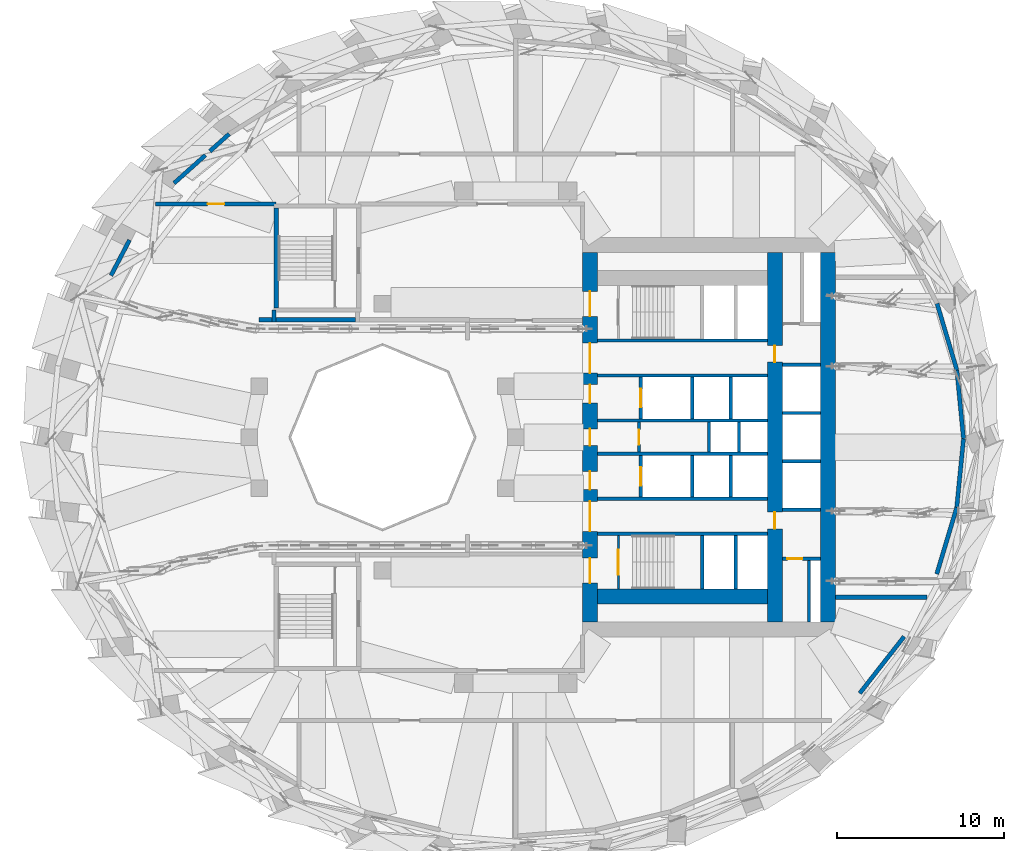
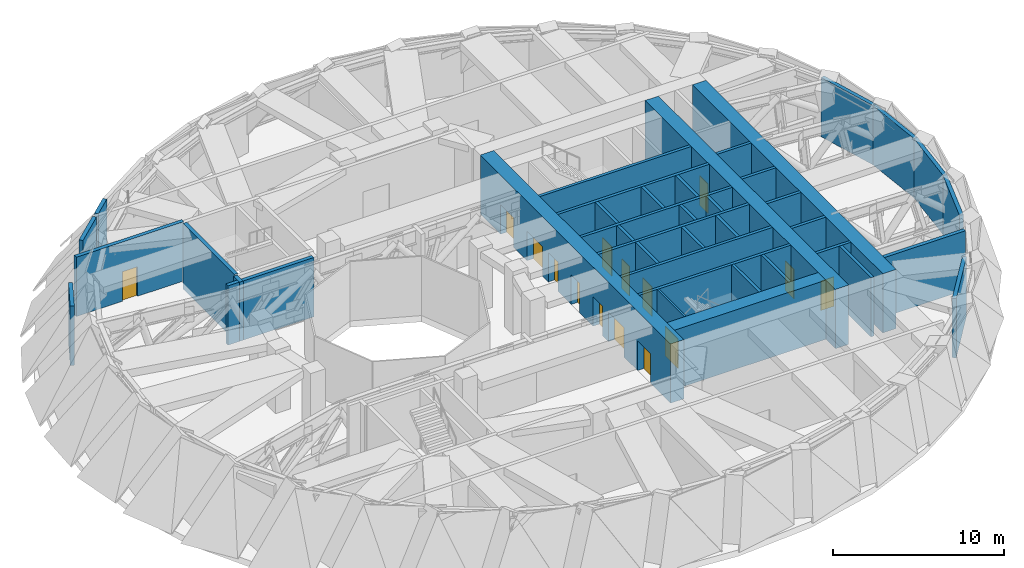
# One storey, part 8 of 15: 42 walls, 15 doors, 15 openings.
"""IFC4 building model written with IfcOpenShell, lengths in metres."""

from ifc_helpers import new_model, si_unit, direction, frame, frame_2d, origin, place, context, subcontext, project, spatial, rectangle, extrude, material, layer, layer_set, type_object, element, fill, save


model = new_model("IFC4")

# Units and contexts
model_context = context("Model", 3, precision=1e-05, world=origin(), true_north=direction((0.0, 1.0)))
body_context = subcontext(model_context, "Body", "Model", "MODEL_VIEW")
ifc_project = project(units=[si_unit("LENGTHUNIT", "METRE"), si_unit("AREAUNIT", "SQUARE_METRE"), si_unit("VOLUMEUNIT", "CUBIC_METRE"), si_unit("PLANEANGLEUNIT", "RADIAN"), si_unit("MASSUNIT", "GRAM", prefix="KILO")], contexts=[model_context])

# Site, building, storey
site_placement = place(None, origin())
site = spatial("IfcSite", under=ifc_project, at=site_placement, CompositionType="ELEMENT")
building_placement = place(site_placement, origin())
building = spatial("IfcBuilding", under=site, at=building_placement, Name="Taillehof Tower", CompositionType="ELEMENT")
storey_placement = place(building_placement, frame((0.0, 0.0, 84.39990234375)))
storey = spatial("IfcBuildingStorey", under=building, at=storey_placement, Name="L23", CompositionType="ELEMENT", Elevation=84.39990234375)

# Wall, opening, door
ifc_material_1 = material(Name="Calcium silicate masonry", Category="masonry")
ifc_layer_1 = layer(ifc_material_1, 0.199951171875)
ifc_layer_set_1 = layer_set([ifc_layer_1], Name="Compartment wall calcium silicate 200")
wall_type_1 = type_object("IfcWallType", Name="Compartment wall calcium silicate 200", PredefinedType="PARTITIONING", material=ifc_layer_set_1)
wall_1_placement = place(storey_placement, frame((7.39990234375, -0.89990234375, 0.0), z_axis=(0.0, 0.0, 1.0), x_axis=(0.0, 1.0, 0.0)))
wall_1 = element("IfcWall", 1, at=wall_1_placement, inside=storey, type_object=wall_type_1, Name="Compartment wall FW", PredefinedType="PARTITIONING", context=body_context, shape_type="SweptSolid", body=[
    extrude(rectangle(XDim=1.7998046875, YDim=0.199951171875, at=frame_2d((0.89990234375, 0.0))), origin(), (0.0, 0.0, 1.0), 4.22021484375),
])
opening_1_placement = place(wall_1_placement, frame((0.449951171875, 0.0, 0.0)))
opening_1 = element("IfcOpeningElement", 2, at=opening_1_placement, cuts=wall_1, Name="Opening D2312", PredefinedType="OPENING", context=body_context, shape_type="SweptSolid", body=[
    extrude(rectangle(XDim=0.89990234375, YDim=2.10009765625, at=frame_2d((0.449951171875, 1.050048828125))), frame((0.0, 0.10986328125, 0.0), z_axis=(0.0, -1.0, 0.0), x_axis=(1.0, 0.0, 0.0)), (0.0, 0.0, 1.0), 0.219970703125),
])
ifc_material_2 = material(Name="Steel-faced fire door", Category="steel")
door_type_1 = type_object("IfcDoorType", Name="Riser and service room door 900x2100", OperationType="SINGLE_SWING_LEFT", PredefinedType="DOOR", material=ifc_material_2)
door_1_placement = place(opening_1_placement, origin())
door_1 = element("IfcDoor", 3, at=door_1_placement, inside=storey, type_object=door_type_1, Name="Door Bms Room", OperationType="SINGLE_SWING_RIGHT", OverallHeight=2.10009765625, OverallWidth=0.89990234375, PredefinedType="DOOR", context=body_context, shape_type="SweptSolid", body=[
    extrude(rectangle(XDim=0.89990234375, YDim=2.10009765625, at=frame_2d((0.449951171875, 1.050048828125))), frame((0.0, 0.02490234375, 0.0), z_axis=(0.0, -1.0, 0.0), x_axis=(1.0, 0.0, 0.0)), (0.0, 0.0, 1.0), 0.050048828125),
])
fill(opening_1, door_1)

# Walls
for number, where, z_axis, x_axis, name in (
    (4, (11.60009765625, -0.89990234375, 0.0), (0.0, 0.0, 1.0), (0.0, 1.0, 0.0), "Compartment wall FW"),
    (5, (13.39990234375, -0.89990234375, 0.0), (0.0, 0.0, 1.0), (0.0, 1.0, 0.0), "Compartment wall FW"),
):
    element("IfcWall", number, at=place(storey_placement, frame(where, z_axis=z_axis, x_axis=x_axis)), inside=storey, type_object=wall_type_1, Name=name, PredefinedType="PARTITIONING", context=body_context, shape_type="SweptSolid", body=[
        extrude(rectangle(XDim=1.7998046875, YDim=0.199951171875, at=frame_2d((0.89990234375, 0.0))), origin(), (0.0, 0.0, 1.0), 4.22021484375),
    ])

# Wall, opening, door
wall_2_placement = place(storey_placement, frame((16.0, -7.300048828125, 0.0), z_axis=(0.0, 0.0, 1.0), x_axis=(1.0, 0.0, 0.0)))
wall_2 = element("IfcWall", 6, at=wall_2_placement, inside=storey, type_object=wall_type_1, Name="Compartment wall FW", PredefinedType="PARTITIONING", context=body_context, shape_type="SweptSolid", body=[
    extrude(rectangle(XDim=2.300048828125, YDim=0.199951171875, at=frame_2d((1.14990234375, 0.0))), origin(), (0.0, 0.0, 1.0), 4.22021484375),
])
opening_2_placement = place(wall_2_placement, frame((0.300048828125, 0.0, 0.0)))
opening_2 = element("IfcOpeningElement", 7, at=opening_2_placement, cuts=wall_2, Name="Opening D2316", PredefinedType="OPENING", context=body_context, shape_type="SweptSolid", body=[
    extrude(rectangle(XDim=0.89990234375, YDim=2.10009765625, at=frame_2d((0.449951171875, 1.050048828125))), frame((0.0, 0.10986328125, 0.0), z_axis=(0.0, -1.0, 0.0), x_axis=(1.0, 0.0, 0.0)), (0.0, 0.0, 1.0), 0.219970703125),
])
door_2_placement = place(opening_2_placement, origin())
door_2 = element("IfcDoor", 8, at=door_2_placement, inside=storey, type_object=door_type_1, Name="Door Battery Room", OperationType="SINGLE_SWING_LEFT", OverallHeight=2.10009765625, OverallWidth=0.89990234375, PredefinedType="DOOR", context=body_context, shape_type="SweptSolid", body=[
    extrude(rectangle(XDim=0.89990234375, YDim=2.10009765625, at=frame_2d((0.449951171875, 1.050048828125))), frame((0.0, 0.02490234375, 0.0), z_axis=(0.0, -1.0, 0.0), x_axis=(1.0, 0.0, 0.0)), (0.0, 0.0, 1.0), 0.050048828125),
])
fill(opening_2, door_2)

# Wall
wall_3_placement = place(storey_placement, frame((17.60009765625, -11.10009765625, 0.0), z_axis=(0.0, 0.0, 1.0), x_axis=(0.0, 1.0, 0.0)))
element("IfcWall", 9, at=wall_3_placement, inside=storey, type_object=wall_type_1, Name="Compartment wall FW", PredefinedType="PARTITIONING", context=body_context, shape_type="SweptSolid", body=[
    extrude(rectangle(XDim=3.7001953125, YDim=0.199951171875, at=frame_2d((1.85009765625, 0.0))), origin(), (0.0, 0.0, 1.0), 4.22021484375),
])

# Wall, openings, doors
ifc_material_3 = material(Name="Concrete C80/95", Category="concrete")
ifc_layer_2 = layer(ifc_material_3, 0.89990234375)
ifc_layer_set_2 = layer_set([ifc_layer_2], Name="Core wall C80/95 900")
wall_type_2 = type_object("IfcWallType", Name="Core wall C80/95 900", PredefinedType="SHEAR", material=ifc_layer_set_2)
wall_4_placement = place(storey_placement, frame((4.449951171875, -11.10009765625, 0.0), z_axis=(0.0, 0.0, 1.0), x_axis=(0.0, 1.0, 0.0)))
wall_4 = element("IfcWall", 10, at=wall_4_placement, inside=storey, type_object=wall_type_2, Name="Core wall CW01", PredefinedType="SHEAR", context=body_context, shape_type="SweptSolid", body=[
    extrude(rectangle(XDim=22.2001953125, YDim=0.89990234375, at=frame_2d((11.10009765625, 0.0))), origin(), (0.0, 0.0, 1.0), 4.22021484375),
])
opening_3_placement = place(wall_4_placement, frame((2.35009765625, 0.0, 0.0)))
opening_3 = element("IfcOpeningElement", 11, at=opening_3_placement, cuts=wall_4, Name="Opening D2301", PredefinedType="OPENING", context=body_context, shape_type="SweptSolid", body=[
    extrude(rectangle(XDim=1.5, YDim=2.10009765625, at=frame_2d((0.75, 1.050048828125))), frame((0.0, 0.4599609375, 0.0), z_axis=(0.0, -1.0, 0.0), x_axis=(1.0, 0.0, 0.0)), (0.0, 0.0, 1.0), 0.919921875),
])
opening_4_placement = place(wall_4_placement, frame((5.449951171875, 0.0, 0.0)))
opening_4 = element("IfcOpeningElement", 12, at=opening_4_placement, cuts=wall_4, Name="Opening D2302", PredefinedType="OPENING", context=body_context, shape_type="SweptSolid", body=[
    extrude(rectangle(XDim=1.800048828125, YDim=2.10009765625, at=frame_2d((0.89990234375, 1.050048828125))), frame((0.0, 0.4599609375, 0.0), z_axis=(0.0, -1.0, 0.0), x_axis=(1.0, 0.0, 0.0)), (0.0, 0.0, 1.0), 0.919921875),
])
opening_5_placement = place(wall_4_placement, frame((7.949951171875, 0.0, 0.0)))
opening_5 = element("IfcOpeningElement", 13, at=opening_5_placement, cuts=wall_4, Name="Opening D2303", PredefinedType="OPENING", context=body_context, shape_type="SweptSolid", body=[
    extrude(rectangle(XDim=1.10009765625, YDim=2.10009765625, at=frame_2d((0.550048828125, 1.050048828125))), frame((0.0, 0.4599609375, 0.0), z_axis=(0.0, -1.0, 0.0), x_axis=(1.0, 0.0, 0.0)), (0.0, 0.0, 1.0), 0.919921875),
])
opening_6_placement = place(wall_4_placement, frame((10.60009765625, 0.0, 0.0)))
opening_6 = element("IfcOpeningElement", 14, at=opening_6_placement, cuts=wall_4, Name="Opening D2304", PredefinedType="OPENING", context=body_context, shape_type="SweptSolid", body=[
    extrude(rectangle(XDim=1.0, YDim=2.10009765625, at=frame_2d((0.5, 1.050048828125))), frame((0.0, 0.4599609375, 0.0), z_axis=(0.0, -1.0, 0.0), x_axis=(1.0, 0.0, 0.0)), (0.0, 0.0, 1.0), 0.919921875),
])
opening_7_placement = place(wall_4_placement, frame((13.14990234375, 0.0, 0.0)))
opening_7 = element("IfcOpeningElement", 15, at=opening_7_placement, cuts=wall_4, Name="Opening D2305", PredefinedType="OPENING", context=body_context, shape_type="SweptSolid", body=[
    extrude(rectangle(XDim=1.10009765625, YDim=2.10009765625, at=frame_2d((0.550048828125, 1.050048828125))), frame((0.0, 0.4599609375, 0.0), z_axis=(0.0, -1.0, 0.0), x_axis=(1.0, 0.0, 0.0)), (0.0, 0.0, 1.0), 0.919921875),
])
opening_8_placement = place(wall_4_placement, frame((14.949951171875, 0.0, 0.0)))
opening_8 = element("IfcOpeningElement", 16, at=opening_8_placement, cuts=wall_4, Name="Opening D2306", PredefinedType="OPENING", context=body_context, shape_type="SweptSolid", body=[
    extrude(rectangle(XDim=1.800048828125, YDim=2.10009765625, at=frame_2d((0.89990234375, 1.050048828125))), frame((0.0, 0.4599609375, 0.0), z_axis=(0.0, -1.0, 0.0), x_axis=(1.0, 0.0, 0.0)), (0.0, 0.0, 1.0), 0.919921875),
])
opening_9_placement = place(wall_4_placement, frame((18.35009765625, 0.0, 0.0)))
opening_9 = element("IfcOpeningElement", 17, at=opening_9_placement, cuts=wall_4, Name="Opening D2307", PredefinedType="OPENING", context=body_context, shape_type="SweptSolid", body=[
    extrude(rectangle(XDim=1.5, YDim=2.10009765625, at=frame_2d((0.75, 1.050048828125))), frame((0.0, 0.4599609375, 0.0), z_axis=(0.0, -1.0, 0.0), x_axis=(1.0, 0.0, 0.0)), (0.0, 0.0, 1.0), 0.919921875),
])
ifc_material_4 = material(Name="Steel-faced fire door", Category="steel")
door_type_2 = type_object("IfcDoorType", Name="Firefighting lobby door 1100x2100", OperationType="SINGLE_SWING_RIGHT", PredefinedType="DOOR", material=ifc_material_4)
door_3_placement = place(opening_5_placement, origin())
door_3 = element("IfcDoor", 18, at=door_3_placement, inside=storey, type_object=door_type_2, Name="Firefighting lobby door FFL-S", OperationType="SINGLE_SWING_RIGHT", OverallHeight=2.10009765625, OverallWidth=1.10009765625, PredefinedType="DOOR", context=body_context, shape_type="SweptSolid", body=[
    extrude(rectangle(XDim=1.10009765625, YDim=2.10009765625, at=frame_2d((0.550048828125, 1.050048828125))), frame((0.0, 0.02490234375, 0.0), z_axis=(0.0, -1.0, 0.0), x_axis=(1.0, 0.0, 0.0)), (0.0, 0.0, 1.0), 0.050048828125),
])
fill(opening_5, door_3)
door_4_placement = place(opening_7_placement, origin())
door_4 = element("IfcDoor", 19, at=door_4_placement, inside=storey, type_object=door_type_2, Name="Firefighting lobby door FFL-N", OperationType="SINGLE_SWING_LEFT", OverallHeight=2.10009765625, OverallWidth=1.10009765625, PredefinedType="DOOR", context=body_context, shape_type="SweptSolid", body=[
    extrude(rectangle(XDim=1.10009765625, YDim=2.10009765625, at=frame_2d((0.550048828125, 1.050048828125))), frame((0.0, 0.02490234375, 0.0), z_axis=(0.0, -1.0, 0.0), x_axis=(1.0, 0.0, 0.0)), (0.0, 0.0, 1.0), 0.050048828125),
])
fill(opening_7, door_4)
ifc_material_5 = material(Name="Steel-faced fire door", Category="steel")
door_type_3 = type_object("IfcDoorType", Name="Lift lobby door 1800x2100", OperationType="DOUBLE_DOOR_SINGLE_SWING", PredefinedType="DOOR", material=ifc_material_5)
door_5_placement = place(opening_4_placement, origin())
door_5 = element("IfcDoor", 20, at=door_5_placement, inside=storey, type_object=door_type_3, Name="Lift lobby door LL-S", OperationType="DOUBLE_DOOR_SINGLE_SWING", OverallHeight=2.10009765625, OverallWidth=1.800048828125, PredefinedType="DOOR", context=body_context, shape_type="SweptSolid", body=[
    extrude(rectangle(XDim=1.800048828125, YDim=2.10009765625, at=frame_2d((0.89990234375, 1.050048828125))), frame((0.0, 0.02490234375, 0.0), z_axis=(0.0, -1.0, 0.0), x_axis=(1.0, 0.0, 0.0)), (0.0, 0.0, 1.0), 0.050048828125),
])
fill(opening_4, door_5)
door_6_placement = place(opening_8_placement, origin())
door_6 = element("IfcDoor", 21, at=door_6_placement, inside=storey, type_object=door_type_3, Name="Lift lobby door LL-N", OperationType="DOUBLE_DOOR_SINGLE_SWING", OverallHeight=2.10009765625, OverallWidth=1.800048828125, PredefinedType="DOOR", context=body_context, shape_type="SweptSolid", body=[
    extrude(rectangle(XDim=1.800048828125, YDim=2.10009765625, at=frame_2d((0.89990234375, 1.050048828125))), frame((0.0, 0.02490234375, 0.0), z_axis=(0.0, -1.0, 0.0), x_axis=(1.0, 0.0, 0.0)), (0.0, 0.0, 1.0), 0.050048828125),
])
fill(opening_8, door_6)
ifc_material_6 = material(Name="Steel-faced fire door", Category="steel")
door_type_4 = type_object("IfcDoorType", Name="Service door 1000x2100", OperationType="SINGLE_SWING_RIGHT", PredefinedType="DOOR", material=ifc_material_6)
door_7_placement = place(opening_6_placement, origin())
door_7 = element("IfcDoor", 22, at=door_7_placement, inside=storey, type_object=door_type_4, Name="Service door SV", OperationType="SINGLE_SWING_RIGHT", OverallHeight=2.10009765625, OverallWidth=1.0, PredefinedType="DOOR", context=body_context, shape_type="SweptSolid", body=[
    extrude(rectangle(XDim=1.0, YDim=2.10009765625, at=frame_2d((0.5, 1.050048828125))), frame((0.0, 0.02490234375, 0.0), z_axis=(0.0, -1.0, 0.0), x_axis=(1.0, 0.0, 0.0)), (0.0, 0.0, 1.0), 0.050048828125),
])
fill(opening_6, door_7)
ifc_material_7 = material(Name="Steel-faced fire door", Category="steel")
door_type_5 = type_object("IfcDoorType", Name="Stair door 1500x2100", OperationType="DOUBLE_DOOR_SINGLE_SWING", PredefinedType="DOOR", material=ifc_material_7)
door_8_placement = place(opening_3_placement, origin())
door_8 = element("IfcDoor", 23, at=door_8_placement, inside=storey, type_object=door_type_5, Name="Stair door S2", OperationType="DOUBLE_DOOR_SINGLE_SWING", OverallHeight=2.10009765625, OverallWidth=1.5, PredefinedType="DOOR", context=body_context, shape_type="SweptSolid", body=[
    extrude(rectangle(XDim=1.5, YDim=2.10009765625, at=frame_2d((0.75, 1.050048828125))), frame((0.0, 0.02490234375, 0.0), z_axis=(0.0, -1.0, 0.0), x_axis=(1.0, 0.0, 0.0)), (0.0, 0.0, 1.0), 0.050048828125),
])
fill(opening_3, door_8)
door_9_placement = place(opening_9_placement, origin())
door_9 = element("IfcDoor", 24, at=door_9_placement, inside=storey, type_object=door_type_5, Name="Stair door S1", OperationType="DOUBLE_DOOR_SINGLE_SWING", OverallHeight=2.10009765625, OverallWidth=1.5, PredefinedType="DOOR", context=body_context, shape_type="SweptSolid", body=[
    extrude(rectangle(XDim=1.5, YDim=2.10009765625, at=frame_2d((0.75, 1.050048828125))), frame((0.0, 0.02490234375, 0.0), z_axis=(0.0, -1.0, 0.0), x_axis=(1.0, 0.0, 0.0)), (0.0, 0.0, 1.0), 0.050048828125),
])
fill(opening_9, door_9)

# Wall
wall_5_placement = place(storey_placement, frame((18.75, -11.10009765625, 0.0), z_axis=(0.0, 0.0, 1.0), x_axis=(0.0, 1.0, 0.0)))
element("IfcWall", 25, at=wall_5_placement, inside=storey, type_object=wall_type_2, Name="Core wall CW02", PredefinedType="SHEAR", context=body_context, shape_type="SweptSolid", body=[
    extrude(rectangle(XDim=22.2001953125, YDim=0.89990234375, at=frame_2d((11.10009765625, 0.0))), origin(), (0.0, 0.0, 1.0), 4.22021484375),
])

# Wall, openings, doors
wall_6_placement = place(storey_placement, frame((15.550048828125, -11.10009765625, 0.0), z_axis=(0.0, 0.0, 1.0), x_axis=(0.0, 1.0, 0.0)))
wall_6 = element("IfcWall", 26, at=wall_6_placement, inside=storey, type_object=wall_type_2, Name="Core wall CW05", PredefinedType="SHEAR", context=body_context, shape_type="SweptSolid", body=[
    extrude(rectangle(XDim=22.2001953125, YDim=0.89990234375, at=frame_2d((11.10009765625, 0.0))), origin(), (0.0, 0.0, 1.0), 4.22021484375),
])
opening_10_placement = place(wall_6_placement, frame((15.60009765625, 0.0, 0.0)))
opening_10 = element("IfcOpeningElement", 27, at=opening_10_placement, cuts=wall_6, Name="Opening D2313", PredefinedType="OPENING", context=body_context, shape_type="SweptSolid", body=[
    extrude(rectangle(XDim=1.0, YDim=2.10009765625, at=frame_2d((0.5, 1.050048828125))), frame((0.0, 0.4599609375, 0.0), z_axis=(0.0, -1.0, 0.0), x_axis=(1.0, 0.0, 0.0)), (0.0, 0.0, 1.0), 0.919921875),
])
opening_11_placement = place(wall_6_placement, frame((5.60009765625, 0.0, 0.0)))
opening_11 = element("IfcOpeningElement", 28, at=opening_11_placement, cuts=wall_6, Name="Opening D2315", PredefinedType="OPENING", context=body_context, shape_type="SweptSolid", body=[
    extrude(rectangle(XDim=1.0, YDim=2.10009765625, at=frame_2d((0.5, 1.050048828125))), frame((0.0, 0.4599609375, 0.0), z_axis=(0.0, -1.0, 0.0), x_axis=(1.0, 0.0, 0.0)), (0.0, 0.0, 1.0), 0.919921875),
])
door_10_placement = place(opening_10_placement, origin())
door_10 = element("IfcDoor", 29, at=door_10_placement, inside=storey, type_object=door_type_4, Name="Service door strip", OperationType="SINGLE_SWING_RIGHT", OverallHeight=2.10009765625, OverallWidth=1.0, PredefinedType="DOOR", context=body_context, shape_type="SweptSolid", body=[
    extrude(rectangle(XDim=1.0, YDim=2.10009765625, at=frame_2d((0.5, 1.050048828125))), frame((0.0, 0.02490234375, 0.0), z_axis=(0.0, -1.0, 0.0), x_axis=(1.0, 0.0, 0.0)), (0.0, 0.0, 1.0), 0.050048828125),
])
fill(opening_10, door_10)
door_11_placement = place(opening_11_placement, origin())
door_11 = element("IfcDoor", 30, at=door_11_placement, inside=storey, type_object=door_type_4, Name="Service door strip", OperationType="SINGLE_SWING_LEFT", OverallHeight=2.10009765625, OverallWidth=1.0, PredefinedType="DOOR", context=body_context, shape_type="SweptSolid", body=[
    extrude(rectangle(XDim=1.0, YDim=2.10009765625, at=frame_2d((0.5, 1.050048828125))), frame((0.0, 0.02490234375, 0.0), z_axis=(0.0, -1.0, 0.0), x_axis=(1.0, 0.0, 0.0)), (0.0, 0.0, 1.0), 0.050048828125),
])
fill(opening_11, door_11)

# Walls
wall_7_placement = place(storey_placement, frame((4.89990234375, -9.550048828125, 0.0), z_axis=(0.0, 0.0, 1.0), x_axis=(1.0, 0.0, 0.0)))
element("IfcWall", 31, at=wall_7_placement, inside=storey, type_object=wall_type_2, Name="Core wall CW07", PredefinedType="SHEAR", context=body_context, shape_type="SweptSolid", body=[
    extrude(rectangle(XDim=10.2001953125, YDim=0.89990234375, at=frame_2d((5.10009765625, 0.0))), origin(), (0.0, 0.0, 1.0), 4.22021484375),
])
ifc_material_8 = material(Name="Calcium silicate blockwork", Category="masonry")
ifc_layer_3 = layer(ifc_material_8, 0.25)
ifc_layer_set_3 = layer_set([ifc_layer_3], Name="Fire-resisting wall EI 120 250 mm")
wall_type_3 = type_object("IfcWallType", Name="Fire-resisting wall EI 120 250 mm", PredefinedType="PARTITIONING", material=ifc_layer_set_3)
wall_8_placement = place(storey_placement, frame((-18.629150390625, 16.922607421875, 0.0), z_axis=(0.0, 0.0, 1.0), x_axis=(-0.745977283695, -0.665971389934, 0.0)))
element("IfcWall", 32, at=wall_8_placement, inside=storey, type_object=wall_type_3, Name="Wall TRB / L23-04", PredefinedType="PARTITIONING", context=body_context, shape_type="SweptSolid", body=[
    extrude(rectangle(XDim=2.514404296875, YDim=0.25, at=frame_2d((1.25732421875, 0.0))), origin(), (0.0, 0.0, 1.0), 4.22021484375),
])
wall_9_placement = place(storey_placement, frame((20.643310546875, -15.365966796875, 0.0), z_axis=(0.0, 0.0, 1.0), x_axis=(0.61641495594, 0.787421489479, 0.0)))
element("IfcWall", 33, at=wall_9_placement, inside=storey, type_object=wall_type_3, Name="Wall TRB / L23-05", PredefinedType="PARTITIONING", context=body_context, shape_type="SweptSolid", body=[
    extrude(rectangle(XDim=4.318603515625, YDim=0.25, at=frame_2d((2.1591796875, 0.0))), origin(), (0.0, 0.0, 1.0), 4.22021484375),
])
wall_10_placement = place(storey_placement, frame((-17.199462890625, 18.198486328125, 0.0), z_axis=(0.0, 0.0, 1.0), x_axis=(-0.746040610703, -0.665900448402, 0.0)))
element("IfcWall", 34, at=wall_10_placement, inside=storey, type_object=wall_type_3, Name="Wall TRB / L23-06", PredefinedType="PARTITIONING", context=body_context, shape_type="SweptSolid", body=[
    extrude(rectangle(XDim=1.556640625, YDim=0.25, at=frame_2d((0.7783203125, 0.0))), origin(), (0.0, 0.0, 1.0), 4.22021484375),
])
wall_11_placement = place(storey_placement, frame((-23.180419921875, 11.8359375, 0.0), z_axis=(0.0, 0.0, 1.0), x_axis=(-0.462590248414, -0.886572197891, 0.0)))
element("IfcWall", 35, at=wall_11_placement, inside=storey, type_object=wall_type_3, Name="Wall TRB / L23-14", PredefinedType="PARTITIONING", context=body_context, shape_type="SweptSolid", body=[
    extrude(rectangle(XDim=2.4091796875, YDim=0.25, at=frame_2d((1.20458984375, 0.0))), origin(), (0.0, 0.0, 1.0), 4.22021484375),
])
wall_12_placement = place(storey_placement, frame((25.264892578125, -8.209716796875, 0.0), z_axis=(0.0, 0.0, 1.0), x_axis=(0.287508913035, 0.957777962226, 0.0)))
element("IfcWall", 36, at=wall_12_placement, inside=storey, type_object=wall_type_3, Name="Wall TRB / TRE", PredefinedType="PARTITIONING", context=body_context, shape_type="SweptSolid", body=[
    extrude(rectangle(XDim=4.1728515625, YDim=0.25, at=frame_2d((2.08642578125, 0.0))), origin(), (0.0, 0.0, 1.0), 4.22021484375),
])
wall_13_placement = place(storey_placement, frame((26.47314453125, 4.0263671875, 0.0), z_axis=(0.0, 0.0, 1.0), x_axis=(-0.285587452868, 0.95835265261, 0.0)))
element("IfcWall", 37, at=wall_13_placement, inside=storey, type_object=wall_type_3, Name="Wall TRB / TRE", PredefinedType="PARTITIONING", context=body_context, shape_type="SweptSolid", body=[
    extrude(rectangle(XDim=4.17431640625, YDim=0.25, at=frame_2d((2.087158203125, 0.0))), origin(), (0.0, 0.0, 1.0), 4.22021484375),
])
wall_14_placement = place(storey_placement, frame((26.464599609375, -4.213134765625, 0.0), z_axis=(0.0, 0.0, 1.0), x_axis=(0.098341314007, 0.995152745039, 0.0)))
element("IfcWall", 38, at=wall_14_placement, inside=storey, type_object=wall_type_3, Name="Wall TRB / TRE", PredefinedType="PARTITIONING", context=body_context, shape_type="SweptSolid", body=[
    extrude(rectangle(XDim=4.138427734375, YDim=0.25, at=frame_2d((2.0693359375, 0.0))), origin(), (0.0, 0.0, 1.0), 4.22021484375),
])
wall_15_placement = place(storey_placement, frame((26.87158203125, -0.0947265625, 0.0), z_axis=(0.0, 0.0, 1.0), x_axis=(-0.09623373825, 0.995358763272, 0.0)))
element("IfcWall", 39, at=wall_15_placement, inside=storey, type_object=wall_type_3, Name="Wall TRB / TRE", PredefinedType="PARTITIONING", context=body_context, shape_type="SweptSolid", body=[
    extrude(rectangle(XDim=4.140380859375, YDim=0.25, at=frame_2d((2.0703125, 0.0))), origin(), (0.0, 0.0, 1.0), 4.22021484375),
])
wall_16_placement = place(storey_placement, frame((19.197998046875, -9.60009765625, 0.0), z_axis=(0.0, 0.0, 1.0), x_axis=(1.0, 0.0, 0.0)))
element("IfcWall", 40, at=wall_16_placement, inside=storey, type_object=wall_type_3, Name="Wall TRE / L23-05", PredefinedType="PARTITIONING", context=body_context, shape_type="SweptSolid", body=[
    extrude(rectangle(XDim=5.466552734375, YDim=0.25, at=frame_2d((2.7333984375, 0.0))), origin(), (0.0, 0.0, 1.0), 4.22021484375),
])
wall_17_placement = place(storey_placement, frame((-15.402099609375, 7.050048828125, 0.0), z_axis=(0.0, 0.0, 1.0), x_axis=(1.0, 0.0, 0.0)))
element("IfcWall", 41, at=wall_17_placement, inside=storey, type_object=wall_type_3, Name="Wall TROT5 / L23-14", PredefinedType="PARTITIONING", context=body_context, shape_type="SweptSolid", body=[
    extrude(rectangle(XDim=0.777099609375, YDim=0.25, at=frame_2d((0.388671875, 0.0))), origin(), (0.0, 0.0, 1.0), 4.22021484375),
])
wall_18_placement = place(storey_placement, frame((-14.375, 7.050048828125, 0.0), z_axis=(0.0, 0.0, 1.0), x_axis=(1.0, 0.0, 0.0)))
element("IfcWall", 42, at=wall_18_placement, inside=storey, type_object=wall_type_3, Name="Wall TROT5 / L23-17", PredefinedType="PARTITIONING", context=body_context, shape_type="SweptSolid", body=[
    extrude(rectangle(XDim=4.75, YDim=0.25, at=frame_2d((2.375, 0.0))), origin(), (0.0, 0.0, 1.0), 4.22021484375),
])

# Wall, opening, door
wall_19_placement = place(storey_placement, frame((-21.608642578125, 14.0, 0.0), z_axis=(0.0, 0.0, 1.0), x_axis=(1.0, 0.0, 0.0)))
wall_19 = element("IfcWall", 43, at=wall_19_placement, inside=storey, type_object=wall_type_3, Name="Wall L23-04 / L23-14", PredefinedType="PARTITIONING", context=body_context, shape_type="SweptSolid", body=[
    extrude(rectangle(XDim=7.233642578125, YDim=0.25, at=frame_2d((3.61669921875, 0.0))), origin(), (0.0, 0.0, 1.0), 4.22021484375),
])
opening_12_placement = place(wall_19_placement, frame((3.11669921875, 0.0, 0.0)))
opening_12 = element("IfcOpeningElement", 44, at=opening_12_placement, cuts=wall_19, Name="Opening D2346", PredefinedType="OPENING", context=body_context, shape_type="SweptSolid", body=[
    extrude(rectangle(XDim=1.0, YDim=2.10009765625, at=frame_2d((0.5, 1.050048828125))), frame((0.0, 0.135009765625, 0.0), z_axis=(0.0, -1.0, 0.0), x_axis=(1.0, 0.0, 0.0)), (0.0, 0.0, 1.0), 0.27001953125),
])
ifc_material_9 = material(Name="Hollow metal door set")
door_type_6 = type_object("IfcDoorType", Name="Single door 1000 x 2100 FD120S", OperationType="SINGLE_SWING_LEFT", PredefinedType="DOOR", material=ifc_material_9)
door_12_placement = place(opening_12_placement, origin())
door_12 = element("IfcDoor", 45, at=door_12_placement, inside=storey, type_object=door_type_6, Name="Door D2346", OperationType="SINGLE_SWING_RIGHT", OverallHeight=2.10009765625, OverallWidth=1.0, PredefinedType="DOOR", context=body_context, shape_type="SweptSolid", body=[
    extrude(rectangle(XDim=1.0, YDim=2.10009765625, at=frame_2d((0.5, 1.050048828125))), frame((0.0, 0.02490234375, 0.0), z_axis=(0.0, -1.0, 0.0), x_axis=(1.0, 0.0, 0.0)), (0.0, 0.0, 1.0), 0.050048828125),
])
fill(opening_12, door_12)

# Walls
wall_20_placement = place(storey_placement, frame((-14.5, 6.925048828125, 0.0), z_axis=(0.0, 0.0, 1.0), x_axis=(0.0, 1.0, 0.0)))
element("IfcWall", 46, at=wall_20_placement, inside=storey, type_object=wall_type_3, Name="Wall L23-14 / L23-17", PredefinedType="PARTITIONING", context=body_context, shape_type="SweptSolid", body=[
    extrude(rectangle(XDim=0.699951171875, YDim=0.25, at=frame_2d((0.35009765625, 0.0))), origin(), (0.0, 0.0, 1.0), 4.22021484375),
])
ifc_material_10 = material(Name="Concrete C50/60", Category="concrete")
ifc_layer_4 = layer(ifc_material_10, 0.199951171875)
ifc_layer_set_4 = layer_set([ifc_layer_4], Name="Shaft wall C50/60 200")
wall_type_4 = type_object("IfcWallType", Name="Shaft wall C50/60 200", PredefinedType="SHEAR", material=ifc_layer_set_4)
for number, where, z_axis, x_axis, name in (
    (47, (4.89990234375, 5.800048828125, 0.0), (0.0, 0.0, 1.0), (1.0, 0.0, 0.0), "Shaft wall SW"),
    (48, (4.89990234375, 3.699951171875, 0.0), (0.0, 0.0, 1.0), (1.0, 0.0, 0.0), "Shaft wall SW"),
    (49, (4.89990234375, 1.0, 0.0), (0.0, 0.0, 1.0), (1.0, 0.0, 0.0), "Shaft wall SW"),
    (50, (4.89990234375, -1.0, 0.0), (0.0, 0.0, 1.0), (1.0, 0.0, 0.0), "Shaft wall SW"),
    (51, (4.89990234375, -3.699951171875, 0.0), (0.0, 0.0, 1.0), (1.0, 0.0, 0.0), "Shaft wall SW"),
    (52, (4.89990234375, -5.800048828125, 0.0), (0.0, 0.0, 1.0), (1.0, 0.0, 0.0), "Shaft wall SW"),
):
    element("IfcWall", number, at=place(storey_placement, frame(where, z_axis=z_axis, x_axis=x_axis)), inside=storey, type_object=wall_type_4, Name=name, PredefinedType="SHEAR", context=body_context, shape_type="SweptSolid", body=[
        extrude(rectangle(XDim=10.2001953125, YDim=0.199951171875, at=frame_2d((5.10009765625, 0.0))), origin(), (0.0, 0.0, 1.0), 4.22021484375),
    ])
for number, where, z_axis, x_axis, name in (
    (53, (11.199951171875, -9.10009765625, 0.0), (0.0, 0.0, 1.0), (0.0, 1.0, 0.0), "Shaft wall SW"),
    (54, (13.199951171875, -9.10009765625, 0.0), (0.0, 0.0, 1.0), (0.0, 1.0, 0.0), "Shaft wall SW"),
):
    element("IfcWall", number, at=place(storey_placement, frame(where, z_axis=z_axis, x_axis=x_axis)), inside=storey, type_object=wall_type_4, Name=name, PredefinedType="SHEAR", context=body_context, shape_type="SweptSolid", body=[
        extrude(rectangle(XDim=3.2001953125, YDim=0.199951171875, at=frame_2d((1.60009765625, 0.0))), origin(), (0.0, 0.0, 1.0), 4.22021484375),
    ])

# Wall, opening, door
wall_21_placement = place(storey_placement, frame((7.5, 1.10009765625, 0.0), z_axis=(0.0, 0.0, 1.0), x_axis=(0.0, 1.0, 0.0)))
wall_21 = element("IfcWall", 55, at=wall_21_placement, inside=storey, type_object=wall_type_4, Name="Shaft wall SW", PredefinedType="SHEAR", context=body_context, shape_type="SweptSolid", body=[
    extrude(rectangle(XDim=2.5, YDim=0.199951171875, at=frame_2d((1.25, 0.0))), origin(), (0.0, 0.0, 1.0), 4.22021484375),
])
opening_13_placement = place(wall_21_placement, frame((0.699951171875, 0.0, 0.0)))
opening_13 = element("IfcOpeningElement", 56, at=opening_13_placement, cuts=wall_21, Name="Opening LD1", PredefinedType="OPENING", context=body_context, shape_type="SweptSolid", body=[
    extrude(rectangle(XDim=1.10009765625, YDim=2.10009765625, at=frame_2d((0.550048828125, 1.050048828125))), frame((0.0, 0.10986328125, 0.0), z_axis=(0.0, -1.0, 0.0), x_axis=(1.0, 0.0, 0.0)), (0.0, 0.0, 1.0), 0.219970703125),
])
ifc_material_11 = material(Name="Stainless steel", Category="steel")
door_type_7 = type_object("IfcDoorType", Name="Lift landing door LD1 1100x2100", OperationType="DOUBLE_DOOR_SLIDING", PredefinedType="DOOR", material=ifc_material_11)
door_13_placement = place(opening_13_placement, origin())
door_13 = element("IfcDoor", 57, at=door_13_placement, inside=storey, type_object=door_type_7, Name="Landing door FF1", OperationType="DOUBLE_DOOR_SLIDING", OverallHeight=2.10009765625, OverallWidth=1.10009765625, PredefinedType="DOOR", context=body_context, shape_type="SweptSolid", body=[
    extrude(rectangle(XDim=1.10009765625, YDim=2.10009765625, at=frame_2d((0.550048828125, 1.050048828125))), frame((0.0, 0.02490234375, 0.0), z_axis=(0.0, -1.0, 0.0), x_axis=(1.0, 0.0, 0.0)), (0.0, 0.0, 1.0), 0.050048828125),
])
fill(opening_13, door_13)

wall_22_placement = place(storey_placement, frame((7.5, -3.60009765625, 0.0), z_axis=(0.0, 0.0, 1.0), x_axis=(0.0, 1.0, 0.0)))
wall_22 = element("IfcWall", 58, at=wall_22_placement, inside=storey, type_object=wall_type_4, Name="Shaft wall SW", PredefinedType="SHEAR", context=body_context, shape_type="SweptSolid", body=[
    extrude(rectangle(XDim=2.5, YDim=0.199951171875, at=frame_2d((1.25, 0.0))), origin(), (0.0, 0.0, 1.0), 4.22021484375),
])
opening_14_placement = place(wall_22_placement, frame((0.699951171875, 0.0, 0.0)))
opening_14 = element("IfcOpeningElement", 59, at=opening_14_placement, cuts=wall_22, Name="Opening LD1", PredefinedType="OPENING", context=body_context, shape_type="SweptSolid", body=[
    extrude(rectangle(XDim=1.10009765625, YDim=2.10009765625, at=frame_2d((0.550048828125, 1.050048828125))), frame((0.0, 0.10986328125, 0.0), z_axis=(0.0, -1.0, 0.0), x_axis=(1.0, 0.0, 0.0)), (0.0, 0.0, 1.0), 0.219970703125),
])
door_14_placement = place(opening_14_placement, origin())
door_14 = element("IfcDoor", 60, at=door_14_placement, inside=storey, type_object=door_type_7, Name="Landing door FF2", OperationType="DOUBLE_DOOR_SLIDING", OverallHeight=2.10009765625, OverallWidth=1.10009765625, PredefinedType="DOOR", context=body_context, shape_type="SweptSolid", body=[
    extrude(rectangle(XDim=1.10009765625, YDim=2.10009765625, at=frame_2d((0.550048828125, 1.050048828125))), frame((0.0, 0.02490234375, 0.0), z_axis=(0.0, -1.0, 0.0), x_axis=(1.0, 0.0, 0.0)), (0.0, 0.0, 1.0), 0.050048828125),
])
fill(opening_14, door_14)

# Walls
for number, where, z_axis, x_axis, name in (
    (61, (10.60009765625, 1.10009765625, 0.0), (0.0, 0.0, 1.0), (0.0, 1.0, 0.0), "Shaft wall SW"),
    (62, (10.60009765625, -3.60009765625, 0.0), (0.0, 0.0, 1.0), (0.0, 1.0, 0.0), "Shaft wall SW"),
    (63, (12.89990234375, 1.10009765625, 0.0), (0.0, 0.0, 1.0), (0.0, 1.0, 0.0), "Shaft wall SW"),
    (64, (12.89990234375, -3.60009765625, 0.0), (0.0, 0.0, 1.0), (0.0, 1.0, 0.0), "Shaft wall SW"),
):
    element("IfcWall", number, at=place(storey_placement, frame(where, z_axis=z_axis, x_axis=x_axis)), inside=storey, type_object=wall_type_4, Name=name, PredefinedType="SHEAR", context=body_context, shape_type="SweptSolid", body=[
        extrude(rectangle(XDim=2.5, YDim=0.199951171875, at=frame_2d((1.25, 0.0))), origin(), (0.0, 0.0, 1.0), 4.22021484375),
    ])
for number, where, z_axis, x_axis, name in (
    (65, (16.0, -4.35009765625, 0.0), (0.0, 0.0, 1.0), (1.0, 0.0, 0.0), "Shaft wall SW"),
    (66, (16.0, -1.449951171875, 0.0), (0.0, 0.0, 1.0), (1.0, 0.0, 0.0), "Shaft wall SW"),
    (67, (16.0, 1.449951171875, 0.0), (0.0, 0.0, 1.0), (1.0, 0.0, 0.0), "Shaft wall SW"),
    (68, (16.0, 4.35009765625, 0.0), (0.0, 0.0, 1.0), (1.0, 0.0, 0.0), "Shaft wall SW"),
):
    element("IfcWall", number, at=place(storey_placement, frame(where, z_axis=z_axis, x_axis=x_axis)), inside=storey, type_object=wall_type_4, Name=name, PredefinedType="SHEAR", context=body_context, shape_type="SweptSolid", body=[
        extrude(rectangle(XDim=2.300048828125, YDim=0.199951171875, at=frame_2d((1.14990234375, 0.0))), origin(), (0.0, 0.0, 1.0), 4.22021484375),
    ])

# Wall, opening, door
ifc_material_12 = material(Name="Concrete C50/60", Category="concrete")
ifc_layer_5 = layer(ifc_material_12, 0.1201171875)
ifc_layer_set_5 = layer_set([ifc_layer_5], Name="Stair lobby wall C50/60 120")
wall_type_5 = type_object("IfcWallType", Name="Stair lobby wall C50/60 120", PredefinedType="SHEAR", material=ifc_layer_set_5)
wall_23_placement = place(storey_placement, frame((6.159912109375, -9.10009765625, 0.0), z_axis=(0.0, 0.0, 1.0), x_axis=(0.0, 1.0, 0.0)))
wall_23 = element("IfcWall", 69, at=wall_23_placement, inside=storey, type_object=wall_type_5, Name="Compartment wall SW", PredefinedType="SHEAR", context=body_context, shape_type="SweptSolid", body=[
    extrude(rectangle(XDim=3.2001953125, YDim=0.1201171875, at=frame_2d((1.60009765625, 0.0))), origin(), (0.0, 0.0, 1.0), 4.22021484375),
])
opening_15_placement = place(wall_23_placement, frame((0.85009765625, 0.0, 0.0)))
opening_15 = element("IfcOpeningElement", 70, at=opening_15_placement, cuts=wall_23, Name="Opening D2309", PredefinedType="OPENING", context=body_context, shape_type="SweptSolid", body=[
    extrude(rectangle(XDim=1.5, YDim=2.10009765625, at=frame_2d((0.75, 1.050048828125))), frame((0.0, 0.070068359375, 0.0), z_axis=(0.0, -1.0, 0.0), x_axis=(1.0, 0.0, 0.0)), (0.0, 0.0, 1.0), 0.14013671875),
])
door_15_placement = place(opening_15_placement, origin())
door_15 = element("IfcDoor", 71, at=door_15_placement, inside=storey, type_object=door_type_5, Name="Stair lobby door S2", OperationType="DOUBLE_DOOR_SINGLE_SWING", OverallHeight=2.10009765625, OverallWidth=1.5, PredefinedType="DOOR", context=body_context, shape_type="SweptSolid", body=[
    extrude(rectangle(XDim=1.5, YDim=2.10009765625, at=frame_2d((0.75, 1.050048828125))), frame((0.0, 0.02490234375, 0.0), z_axis=(0.0, -1.0, 0.0), x_axis=(1.0, 0.0, 0.0)), (0.0, 0.0, 1.0), 0.050048828125),
])
fill(opening_15, door_15)

# Wall
ifc_material_13 = material(Name="Concrete C50/60", Category="concrete")
ifc_layer_6 = layer(ifc_material_13, 0.25)
ifc_layer_set_6 = layer_set([ifc_layer_6], Name="Stair wall C50/60 250")
wall_type_6 = type_object("IfcWallType", Name="Stair wall C50/60 250", PredefinedType="SHEAR", material=ifc_layer_set_6)
wall_24_placement = place(storey_placement, frame((-14.375, 7.75, -0.449951171875), z_axis=(0.0, 0.0, 1.0), x_axis=(0.0, 1.0, 0.0)))
element("IfcWall", 72, at=wall_24_placement, inside=storey, type_object=wall_type_6, Name="Stair wall SC", PredefinedType="SHEAR", context=body_context, shape_type="SweptSolid", body=[
    extrude(rectangle(XDim=6.0, YDim=0.25, at=frame_2d((3.0, 0.0))), origin(), (0.0, 0.0, 1.0), 4.670166015625),
])

save(model, "model.ifc")
